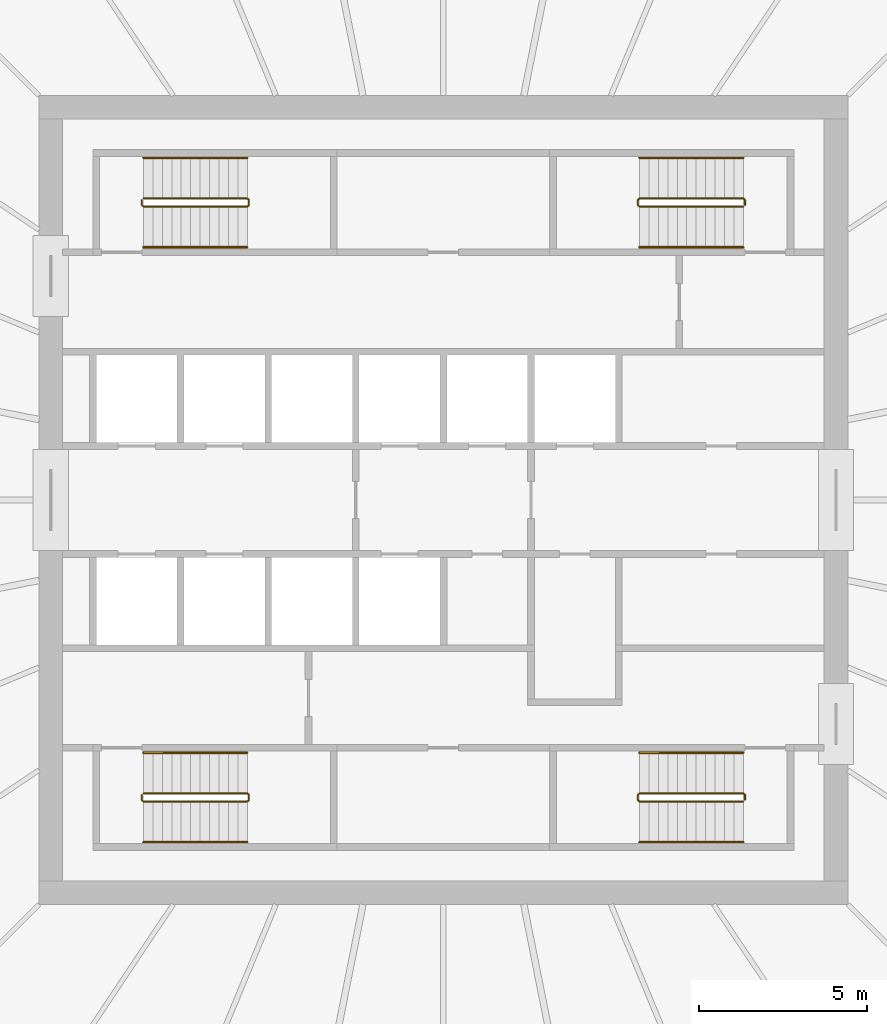
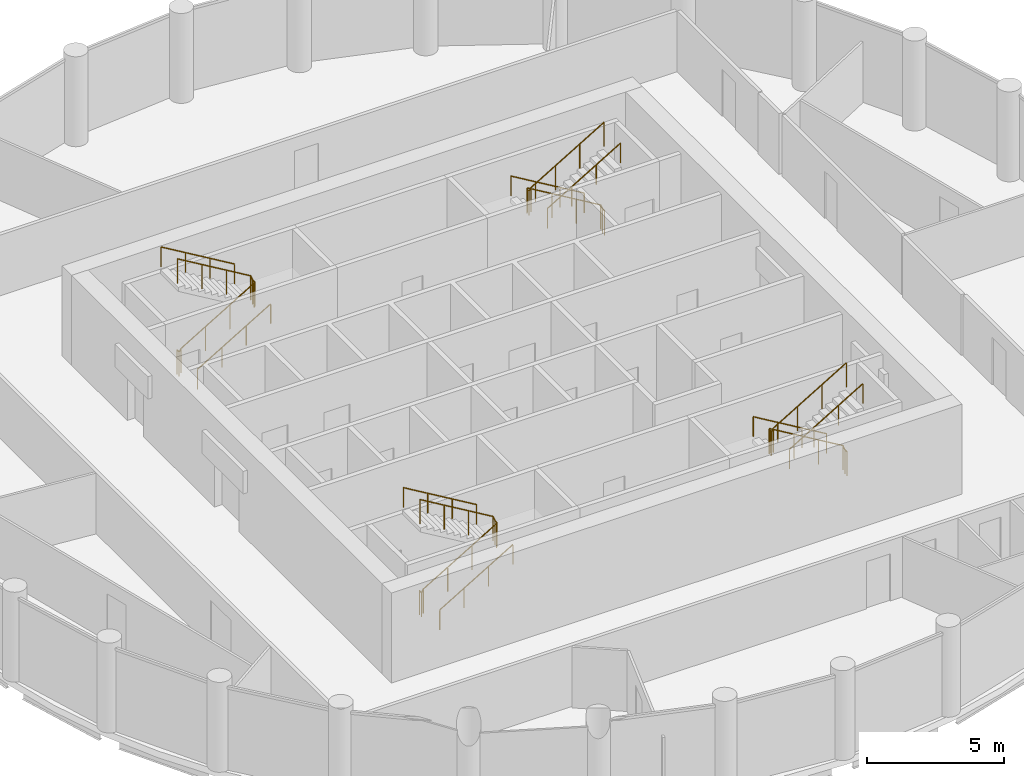
# One storey, part 7 of 7: 12 railings.
"""IFC4 building model written with IfcOpenShell, lengths in metres."""

from ifc_helpers import new_model, si_unit, direction, frame, origin, origin_2d, place, context, subcontext, project, spatial, circle, extrude, material, type_object, element, save


model = new_model("IFC4")

# Units and contexts
model_context = context("Model", 3, precision=1e-05, world=origin(), true_north=direction((0.0, 1.0)))
body_context = subcontext(model_context, "Body", "Model", "MODEL_VIEW")
ifc_project = project(units=[si_unit("LENGTHUNIT", "METRE"), si_unit("AREAUNIT", "SQUARE_METRE"), si_unit("VOLUMEUNIT", "CUBIC_METRE"), si_unit("PLANEANGLEUNIT", "RADIAN"), si_unit("MASSUNIT", "GRAM", prefix="KILO")], contexts=[model_context])

# Site, building, storey
site_placement = place(None, origin())
site = spatial("IfcSite", under=ifc_project, at=site_placement, CompositionType="ELEMENT")
building_placement = place(site_placement, origin())
building = spatial("IfcBuilding", under=site, at=building_placement, Name="Corvane Civic Tower", CompositionType="ELEMENT")
storey_placement = place(building_placement, frame((0.0, 0.0, 267.0)))
storey = spatial("IfcBuildingStorey", under=building, at=storey_placement, Name="L63", CompositionType="ELEMENT", Elevation=267.0)

# Railings
ifc_material_1 = material(Name="Steel ASTM A572 Gr 50", Category="steel")
railing_type_1 = type_object("IfcRailingType", Name="ST-GUARD-1100", PredefinedType="GUARDRAIL", material=ifc_material_1)
railing_1_placement = place(storey_placement, frame((8.949951171875, 8.75, 0.0)))
element("IfcRailing", 1, at=railing_1_placement, inside=storey, type_object=railing_type_1, Name="L63 ST1 stair guard 1", PredefinedType="GUARDRAIL", context=body_context, shape_type="SweptSolid", body=[
    extrude(circle(Radius=0.02392578125, at=origin_2d()), frame((0.0, 0.0, 1.076171875), z_axis=(0.0, 1.0, 0.0), x_axis=(-1.0, 0.0, 0.0)), (0.0, 0.0, 1.0), 0.14990234375),
    extrude(circle(Radius=0.02392578125, at=origin_2d()), frame((0.0, 0.14990234375, 1.076171875), z_axis=(-0.27628659633, 0.27628659633, 0.920506074601), x_axis=(-0.707106781187, -0.707106781187, 0.0)), (0.0, 0.0, 1.0), 0.18115234375),
    extrude(circle(Radius=0.02392578125, at=origin_2d()), frame((-0.050048828125, 0.199951171875, 1.24267578125), z_axis=(-0.859290745958, 0.0, 0.51148745235), x_axis=(0.0, -1.0, 0.0)), (0.0, 0.0, 1.0), 3.584228515625),
    extrude(circle(Radius=0.02392578125, at=origin_2d()), frame((-3.1298828125, 0.199951171875, 3.076171875), z_axis=(-0.707106781187, -0.707106781187, 0.0), x_axis=(0.707106781187, -0.707106781187, 0.0)), (0.0, 0.0, 1.0), 0.07080078125),
    extrude(circle(Radius=0.02392578125, at=origin_2d()), frame((-3.179931640625, 0.14990234375, 3.076171875), z_axis=(0.0, -1.0, 0.0), x_axis=(1.0, 0.0, 0.0)), (0.0, 0.0, 1.0), 0.14990234375),
    extrude(circle(Radius=0.02392578125, at=origin_2d()), frame((-3.179931640625, 0.0, 3.076171875), z_axis=(0.27628659633, -0.27628659633, 0.920506074601), x_axis=(0.707106781187, 0.707106781187, 0.0)), (0.0, 0.0, 1.0), 0.18115234375),
    extrude(circle(Radius=0.02392578125, at=origin_2d()), frame((-3.1298828125, -0.050048828125, 3.24267578125), z_axis=(0.859290745958, 0.0, 0.51148745235), x_axis=(0.0, 1.0, 0.0)), (0.0, 0.0, 1.0), 3.584228515625),
    extrude(circle(Radius=0.02099609375, at=origin_2d()), origin(), (0.0, 0.0, 1.0), 1.052001953125),
    extrude(circle(Radius=0.02099609375, at=origin_2d()), frame((0.0, 0.14990234375, 0.0)), (0.0, 0.0, 1.0), 1.052001953125),
    extrude(circle(Radius=0.02099609375, at=origin_2d()), frame((-0.050048828125, 0.199951171875, 0.166748046875)), (0.0, 0.0, 1.0), 1.052001953125),
    extrude(circle(Radius=0.02099609375, at=origin_2d()), frame((-1.07666015625, 0.199951171875, 0.77783203125)), (0.0, 0.0, 1.0), 1.052001953125),
    extrude(circle(Radius=0.02099609375, at=origin_2d()), frame((-2.103271484375, 0.199951171875, 1.388916015625)), (0.0, 0.0, 1.0), 1.052001953125),
    extrude(circle(Radius=0.02099609375, at=origin_2d()), frame((-3.1298828125, 0.199951171875, 2.0)), (0.0, 0.0, 1.0), 1.052001953125),
    extrude(circle(Radius=0.02099609375, at=origin_2d()), frame((-3.179931640625, 0.14990234375, 2.0)), (0.0, 0.0, 1.0), 1.052001953125),
    extrude(circle(Radius=0.02099609375, at=origin_2d()), frame((-3.179931640625, 0.0, 2.0)), (0.0, 0.0, 1.0), 1.052001953125),
    extrude(circle(Radius=0.02099609375, at=origin_2d()), frame((-3.1298828125, -0.050048828125, 2.166748046875)), (0.0, 0.0, 1.0), 1.052001953125),
    extrude(circle(Radius=0.02099609375, at=origin_2d()), frame((-2.103271484375, -0.050048828125, 2.77783203125)), (0.0, 0.0, 1.0), 1.052001953125),
    extrude(circle(Radius=0.02099609375, at=origin_2d()), frame((-1.07666015625, -0.050048828125, 3.388916015625)), (0.0, 0.0, 1.0), 1.052001953125),
    extrude(circle(Radius=0.02099609375, at=origin_2d()), frame((-0.050048828125, -0.050048828125, 4.0)), (0.0, 0.0, 1.0), 1.052001953125),
])
railing_2_placement = place(storey_placement, frame((8.949951171875, -8.89990234375, 0.0)))
element("IfcRailing", 2, at=railing_2_placement, inside=storey, type_object=railing_type_1, Name="L63 ST2 stair guard 1", PredefinedType="GUARDRAIL", context=body_context, shape_type="SweptSolid", body=[
    extrude(circle(Radius=0.02392578125, at=origin_2d()), frame((0.0, 0.0, 1.076171875), z_axis=(0.0, 1.0, 0.0), x_axis=(-1.0, 0.0, 0.0)), (0.0, 0.0, 1.0), 0.14990234375),
    extrude(circle(Radius=0.02392578125, at=origin_2d()), frame((0.0, 0.14990234375, 1.076171875), z_axis=(-0.27628659633, 0.27628659633, 0.920506074601), x_axis=(-0.707106781187, -0.707106781187, 0.0)), (0.0, 0.0, 1.0), 0.18115234375),
    extrude(circle(Radius=0.02392578125, at=origin_2d()), frame((-0.050048828125, 0.199951171875, 1.24267578125), z_axis=(-0.859290745958, 0.0, 0.51148745235), x_axis=(0.0, -1.0, 0.0)), (0.0, 0.0, 1.0), 3.584228515625),
    extrude(circle(Radius=0.02392578125, at=origin_2d()), frame((-3.1298828125, 0.199951171875, 3.076171875), z_axis=(-0.707106781187, -0.707106781187, 0.0), x_axis=(0.707106781187, -0.707106781187, 0.0)), (0.0, 0.0, 1.0), 0.07080078125),
    extrude(circle(Radius=0.02392578125, at=origin_2d()), frame((-3.179931640625, 0.14990234375, 3.076171875), z_axis=(0.0, -1.0, 0.0), x_axis=(1.0, 0.0, 0.0)), (0.0, 0.0, 1.0), 0.14990234375),
    extrude(circle(Radius=0.02392578125, at=origin_2d()), frame((-3.179931640625, 0.0, 3.076171875), z_axis=(0.27628659633, -0.27628659633, 0.920506074601), x_axis=(0.707106781187, 0.707106781187, 0.0)), (0.0, 0.0, 1.0), 0.18115234375),
    extrude(circle(Radius=0.02392578125, at=origin_2d()), frame((-3.1298828125, -0.050048828125, 3.24267578125), z_axis=(0.859290745958, 0.0, 0.51148745235), x_axis=(0.0, 1.0, 0.0)), (0.0, 0.0, 1.0), 3.584228515625),
    extrude(circle(Radius=0.02099609375, at=origin_2d()), origin(), (0.0, 0.0, 1.0), 1.052001953125),
    extrude(circle(Radius=0.02099609375, at=origin_2d()), frame((0.0, 0.14990234375, 0.0)), (0.0, 0.0, 1.0), 1.052001953125),
    extrude(circle(Radius=0.02099609375, at=origin_2d()), frame((-0.050048828125, 0.199951171875, 0.166748046875)), (0.0, 0.0, 1.0), 1.052001953125),
    extrude(circle(Radius=0.02099609375, at=origin_2d()), frame((-1.07666015625, 0.199951171875, 0.77783203125)), (0.0, 0.0, 1.0), 1.052001953125),
    extrude(circle(Radius=0.02099609375, at=origin_2d()), frame((-2.103271484375, 0.199951171875, 1.388916015625)), (0.0, 0.0, 1.0), 1.052001953125),
    extrude(circle(Radius=0.02099609375, at=origin_2d()), frame((-3.1298828125, 0.199951171875, 2.0)), (0.0, 0.0, 1.0), 1.052001953125),
    extrude(circle(Radius=0.02099609375, at=origin_2d()), frame((-3.179931640625, 0.14990234375, 2.0)), (0.0, 0.0, 1.0), 1.052001953125),
    extrude(circle(Radius=0.02099609375, at=origin_2d()), frame((-3.179931640625, 0.0, 2.0)), (0.0, 0.0, 1.0), 1.052001953125),
    extrude(circle(Radius=0.02099609375, at=origin_2d()), frame((-3.1298828125, -0.050048828125, 2.166748046875)), (0.0, 0.0, 1.0), 1.052001953125),
    extrude(circle(Radius=0.02099609375, at=origin_2d()), frame((-2.103271484375, -0.050048828125, 2.77783203125)), (0.0, 0.0, 1.0), 1.052001953125),
    extrude(circle(Radius=0.02099609375, at=origin_2d()), frame((-1.07666015625, -0.050048828125, 3.388916015625)), (0.0, 0.0, 1.0), 1.052001953125),
    extrude(circle(Radius=0.02099609375, at=origin_2d()), frame((-0.050048828125, -0.050048828125, 4.0)), (0.0, 0.0, 1.0), 1.052001953125),
])
railing_3_placement = place(storey_placement, frame((-8.949951171875, -8.75, 0.0)))
element("IfcRailing", 3, at=railing_3_placement, inside=storey, type_object=railing_type_1, Name="L63 ST3 stair guard 1", PredefinedType="GUARDRAIL", context=body_context, shape_type="SweptSolid", body=[
    extrude(circle(Radius=0.02392578125, at=origin_2d()), frame((0.0, 0.0, 1.076171875), z_axis=(0.0, -1.0, 0.0), x_axis=(1.0, 0.0, 0.0)), (0.0, 0.0, 1.0), 0.14990234375),
    extrude(circle(Radius=0.02392578125, at=origin_2d()), frame((0.0, -0.14990234375, 1.076171875), z_axis=(0.27628659633, -0.27628659633, 0.920506074601), x_axis=(0.707106781187, 0.707106781187, 0.0)), (0.0, 0.0, 1.0), 0.18115234375),
    extrude(circle(Radius=0.02392578125, at=origin_2d()), frame((0.050048828125, -0.199951171875, 1.24267578125), z_axis=(0.859290745958, 0.0, 0.51148745235), x_axis=(0.0, 1.0, 0.0)), (0.0, 0.0, 1.0), 3.584228515625),
    extrude(circle(Radius=0.02392578125, at=origin_2d()), frame((3.1298828125, -0.199951171875, 3.076171875), z_axis=(0.707106781187, 0.707106781187, 0.0), x_axis=(-0.707106781187, 0.707106781187, 0.0)), (0.0, 0.0, 1.0), 0.07080078125),
    extrude(circle(Radius=0.02392578125, at=origin_2d()), frame((3.179931640625, -0.14990234375, 3.076171875), z_axis=(0.0, 1.0, 0.0), x_axis=(-1.0, 0.0, 0.0)), (0.0, 0.0, 1.0), 0.14990234375),
    extrude(circle(Radius=0.02392578125, at=origin_2d()), frame((3.179931640625, 0.0, 3.076171875), z_axis=(-0.27628659633, 0.27628659633, 0.920506074601), x_axis=(-0.707106781187, -0.707106781187, 0.0)), (0.0, 0.0, 1.0), 0.18115234375),
    extrude(circle(Radius=0.02392578125, at=origin_2d()), frame((3.1298828125, 0.050048828125, 3.24267578125), z_axis=(-0.859290745958, 0.0, 0.51148745235), x_axis=(0.0, -1.0, 0.0)), (0.0, 0.0, 1.0), 3.584228515625),
    extrude(circle(Radius=0.02099609375, at=origin_2d()), origin(), (0.0, 0.0, 1.0), 1.052001953125),
    extrude(circle(Radius=0.02099609375, at=origin_2d()), frame((0.0, -0.14990234375, 0.0)), (0.0, 0.0, 1.0), 1.052001953125),
    extrude(circle(Radius=0.02099609375, at=origin_2d()), frame((0.050048828125, -0.199951171875, 0.166748046875)), (0.0, 0.0, 1.0), 1.052001953125),
    extrude(circle(Radius=0.02099609375, at=origin_2d()), frame((1.07666015625, -0.199951171875, 0.77783203125)), (0.0, 0.0, 1.0), 1.052001953125),
    extrude(circle(Radius=0.02099609375, at=origin_2d()), frame((2.103271484375, -0.199951171875, 1.388916015625)), (0.0, 0.0, 1.0), 1.052001953125),
    extrude(circle(Radius=0.02099609375, at=origin_2d()), frame((3.1298828125, -0.199951171875, 2.0)), (0.0, 0.0, 1.0), 1.052001953125),
    extrude(circle(Radius=0.02099609375, at=origin_2d()), frame((3.179931640625, -0.14990234375, 2.0)), (0.0, 0.0, 1.0), 1.052001953125),
    extrude(circle(Radius=0.02099609375, at=origin_2d()), frame((3.179931640625, 0.0, 2.0)), (0.0, 0.0, 1.0), 1.052001953125),
    extrude(circle(Radius=0.02099609375, at=origin_2d()), frame((3.1298828125, 0.050048828125, 2.166748046875)), (0.0, 0.0, 1.0), 1.052001953125),
    extrude(circle(Radius=0.02099609375, at=origin_2d()), frame((2.103271484375, 0.050048828125, 2.77783203125)), (0.0, 0.0, 1.0), 1.052001953125),
    extrude(circle(Radius=0.02099609375, at=origin_2d()), frame((1.07666015625, 0.050048828125, 3.388916015625)), (0.0, 0.0, 1.0), 1.052001953125),
    extrude(circle(Radius=0.02099609375, at=origin_2d()), frame((0.050048828125, 0.050048828125, 4.0)), (0.0, 0.0, 1.0), 1.052001953125),
])
railing_4_placement = place(storey_placement, frame((-8.949951171875, 8.89990234375, 0.0)))
element("IfcRailing", 4, at=railing_4_placement, inside=storey, type_object=railing_type_1, Name="L63 ST4 stair guard 1", PredefinedType="GUARDRAIL", context=body_context, shape_type="SweptSolid", body=[
    extrude(circle(Radius=0.02392578125, at=origin_2d()), frame((0.0, 0.0, 1.076171875), z_axis=(0.0, -1.0, 0.0), x_axis=(1.0, 0.0, 0.0)), (0.0, 0.0, 1.0), 0.14990234375),
    extrude(circle(Radius=0.02392578125, at=origin_2d()), frame((0.0, -0.14990234375, 1.076171875), z_axis=(0.27628659633, -0.27628659633, 0.920506074601), x_axis=(0.707106781187, 0.707106781187, 0.0)), (0.0, 0.0, 1.0), 0.18115234375),
    extrude(circle(Radius=0.02392578125, at=origin_2d()), frame((0.050048828125, -0.199951171875, 1.24267578125), z_axis=(0.859290745958, 0.0, 0.51148745235), x_axis=(0.0, 1.0, 0.0)), (0.0, 0.0, 1.0), 3.584228515625),
    extrude(circle(Radius=0.02392578125, at=origin_2d()), frame((3.1298828125, -0.199951171875, 3.076171875), z_axis=(0.707106781187, 0.707106781187, 0.0), x_axis=(-0.707106781187, 0.707106781187, 0.0)), (0.0, 0.0, 1.0), 0.07080078125),
    extrude(circle(Radius=0.02392578125, at=origin_2d()), frame((3.179931640625, -0.14990234375, 3.076171875), z_axis=(0.0, 1.0, 0.0), x_axis=(-1.0, 0.0, 0.0)), (0.0, 0.0, 1.0), 0.14990234375),
    extrude(circle(Radius=0.02392578125, at=origin_2d()), frame((3.179931640625, 0.0, 3.076171875), z_axis=(-0.27628659633, 0.27628659633, 0.920506074601), x_axis=(-0.707106781187, -0.707106781187, 0.0)), (0.0, 0.0, 1.0), 0.18115234375),
    extrude(circle(Radius=0.02392578125, at=origin_2d()), frame((3.1298828125, 0.050048828125, 3.24267578125), z_axis=(-0.859290745958, 0.0, 0.51148745235), x_axis=(0.0, -1.0, 0.0)), (0.0, 0.0, 1.0), 3.584228515625),
    extrude(circle(Radius=0.02099609375, at=origin_2d()), origin(), (0.0, 0.0, 1.0), 1.052001953125),
    extrude(circle(Radius=0.02099609375, at=origin_2d()), frame((0.0, -0.14990234375, 0.0)), (0.0, 0.0, 1.0), 1.052001953125),
    extrude(circle(Radius=0.02099609375, at=origin_2d()), frame((0.050048828125, -0.199951171875, 0.166748046875)), (0.0, 0.0, 1.0), 1.052001953125),
    extrude(circle(Radius=0.02099609375, at=origin_2d()), frame((1.07666015625, -0.199951171875, 0.77783203125)), (0.0, 0.0, 1.0), 1.052001953125),
    extrude(circle(Radius=0.02099609375, at=origin_2d()), frame((2.103271484375, -0.199951171875, 1.388916015625)), (0.0, 0.0, 1.0), 1.052001953125),
    extrude(circle(Radius=0.02099609375, at=origin_2d()), frame((3.1298828125, -0.199951171875, 2.0)), (0.0, 0.0, 1.0), 1.052001953125),
    extrude(circle(Radius=0.02099609375, at=origin_2d()), frame((3.179931640625, -0.14990234375, 2.0)), (0.0, 0.0, 1.0), 1.052001953125),
    extrude(circle(Radius=0.02099609375, at=origin_2d()), frame((3.179931640625, 0.0, 2.0)), (0.0, 0.0, 1.0), 1.052001953125),
    extrude(circle(Radius=0.02099609375, at=origin_2d()), frame((3.1298828125, 0.050048828125, 2.166748046875)), (0.0, 0.0, 1.0), 1.052001953125),
    extrude(circle(Radius=0.02099609375, at=origin_2d()), frame((2.103271484375, 0.050048828125, 2.77783203125)), (0.0, 0.0, 1.0), 1.052001953125),
    extrude(circle(Radius=0.02099609375, at=origin_2d()), frame((1.07666015625, 0.050048828125, 3.388916015625)), (0.0, 0.0, 1.0), 1.052001953125),
    extrude(circle(Radius=0.02099609375, at=origin_2d()), frame((0.050048828125, 0.050048828125, 4.0)), (0.0, 0.0, 1.0), 1.052001953125),
])
ifc_material_2 = material(Name="Steel ASTM A572 Gr 50", Category="steel")
railing_type_2 = type_object("IfcRailingType", Name="ST-HANDRAIL-900", PredefinedType="HANDRAIL", material=ifc_material_2)
railing_5_placement = place(storey_placement, frame((8.89990234375, 10.14990234375, 0.166748046875)))
element("IfcRailing", 5, at=railing_5_placement, inside=storey, type_object=railing_type_2, Name="L63 ST1 stair handrail 1", PredefinedType="HANDRAIL", context=body_context, shape_type="SweptSolid", body=[
    extrude(circle(Radius=0.02392578125, at=origin_2d()), frame((0.0, 0.0, 0.8759765625), z_axis=(-0.859290745958, 0.0, 0.51148745235), x_axis=(0.0, -1.0, 0.0)), (0.0, 0.0, 1.0), 3.584228515625),
    extrude(circle(Radius=0.02099609375, at=origin_2d()), origin(), (0.0, 0.0, 1.0), 0.851806640625),
    extrude(circle(Radius=0.02099609375, at=origin_2d()), frame((-1.026611328125, 0.0, 0.611083984375)), (0.0, 0.0, 1.0), 0.851806640625),
    extrude(circle(Radius=0.02099609375, at=origin_2d()), frame((-2.05322265625, 0.0, 1.22216796875)), (0.0, 0.0, 1.0), 0.851806640625),
    extrude(circle(Radius=0.02099609375, at=origin_2d()), frame((-3.079833984375, 0.0, 1.833251953125)), (0.0, 0.0, 1.0), 0.851806640625),
])
railing_6_placement = place(storey_placement, frame((5.820068359375, 7.5, 2.166748046875)))
element("IfcRailing", 6, at=railing_6_placement, inside=storey, type_object=railing_type_2, Name="L63 ST1 stair handrail 2", PredefinedType="HANDRAIL", context=body_context, shape_type="SweptSolid", body=[
    extrude(circle(Radius=0.02392578125, at=origin_2d()), frame((0.0, 0.0, 0.8759765625), z_axis=(0.859290745958, 0.0, 0.51148745235), x_axis=(0.0, 1.0, 0.0)), (0.0, 0.0, 1.0), 3.584228515625),
    extrude(circle(Radius=0.02099609375, at=origin_2d()), origin(), (0.0, 0.0, 1.0), 0.851806640625),
    extrude(circle(Radius=0.02099609375, at=origin_2d()), frame((1.026611328125, 0.0, 0.611083984375)), (0.0, 0.0, 1.0), 0.851806640625),
    extrude(circle(Radius=0.02099609375, at=origin_2d()), frame((2.05322265625, 0.0, 1.22216796875)), (0.0, 0.0, 1.0), 0.851806640625),
    extrude(circle(Radius=0.02099609375, at=origin_2d()), frame((3.079833984375, 0.0, 1.833251953125)), (0.0, 0.0, 1.0), 0.851806640625),
])
railing_7_placement = place(storey_placement, frame((8.89990234375, -7.5, 0.166748046875)))
element("IfcRailing", 7, at=railing_7_placement, inside=storey, type_object=railing_type_2, Name="L63 ST2 stair handrail 1", PredefinedType="HANDRAIL", context=body_context, shape_type="SweptSolid", body=[
    extrude(circle(Radius=0.02392578125, at=origin_2d()), frame((0.0, 0.0, 0.8759765625), z_axis=(-0.859290745958, 0.0, 0.51148745235), x_axis=(0.0, -1.0, 0.0)), (0.0, 0.0, 1.0), 3.584228515625),
    extrude(circle(Radius=0.02099609375, at=origin_2d()), origin(), (0.0, 0.0, 1.0), 0.851806640625),
    extrude(circle(Radius=0.02099609375, at=origin_2d()), frame((-1.026611328125, 0.0, 0.611083984375)), (0.0, 0.0, 1.0), 0.851806640625),
    extrude(circle(Radius=0.02099609375, at=origin_2d()), frame((-2.05322265625, 0.0, 1.22216796875)), (0.0, 0.0, 1.0), 0.851806640625),
    extrude(circle(Radius=0.02099609375, at=origin_2d()), frame((-3.079833984375, 0.0, 1.833251953125)), (0.0, 0.0, 1.0), 0.851806640625),
])
for number, where, name in (
    (8, (5.820068359375, -10.14990234375, 2.166748046875), "L63 ST2 stair handrail 2"),
    (9, (-8.89990234375, -10.14990234375, 0.166748046875), "L63 ST3 stair handrail 1"),
):
    element("IfcRailing", number, at=place(storey_placement, frame(where)), inside=storey, type_object=railing_type_2, Name=name, PredefinedType="HANDRAIL", context=body_context, shape_type="SweptSolid", body=[
        extrude(circle(Radius=0.02392578125, at=origin_2d()), frame((0.0, 0.0, 0.8759765625), z_axis=(0.859290745958, 0.0, 0.51148745235), x_axis=(0.0, 1.0, 0.0)), (0.0, 0.0, 1.0), 3.584228515625),
        extrude(circle(Radius=0.02099609375, at=origin_2d()), origin(), (0.0, 0.0, 1.0), 0.851806640625),
        extrude(circle(Radius=0.02099609375, at=origin_2d()), frame((1.026611328125, 0.0, 0.611083984375)), (0.0, 0.0, 1.0), 0.851806640625),
        extrude(circle(Radius=0.02099609375, at=origin_2d()), frame((2.05322265625, 0.0, 1.22216796875)), (0.0, 0.0, 1.0), 0.851806640625),
        extrude(circle(Radius=0.02099609375, at=origin_2d()), frame((3.079833984375, 0.0, 1.833251953125)), (0.0, 0.0, 1.0), 0.851806640625),
    ])
railing_8_placement = place(storey_placement, frame((-5.820068359375, -7.5, 2.166748046875)))
element("IfcRailing", 10, at=railing_8_placement, inside=storey, type_object=railing_type_2, Name="L63 ST3 stair handrail 2", PredefinedType="HANDRAIL", context=body_context, shape_type="SweptSolid", body=[
    extrude(circle(Radius=0.02392578125, at=origin_2d()), frame((0.0, 0.0, 0.8759765625), z_axis=(-0.859290745958, 0.0, 0.51148745235), x_axis=(0.0, -1.0, 0.0)), (0.0, 0.0, 1.0), 3.584228515625),
    extrude(circle(Radius=0.02099609375, at=origin_2d()), origin(), (0.0, 0.0, 1.0), 0.851806640625),
    extrude(circle(Radius=0.02099609375, at=origin_2d()), frame((-1.026611328125, 0.0, 0.611083984375)), (0.0, 0.0, 1.0), 0.851806640625),
    extrude(circle(Radius=0.02099609375, at=origin_2d()), frame((-2.05322265625, 0.0, 1.22216796875)), (0.0, 0.0, 1.0), 0.851806640625),
    extrude(circle(Radius=0.02099609375, at=origin_2d()), frame((-3.079833984375, 0.0, 1.833251953125)), (0.0, 0.0, 1.0), 0.851806640625),
])
railing_9_placement = place(storey_placement, frame((-8.89990234375, 7.5, 0.166748046875)))
element("IfcRailing", 11, at=railing_9_placement, inside=storey, type_object=railing_type_2, Name="L63 ST4 stair handrail 1", PredefinedType="HANDRAIL", context=body_context, shape_type="SweptSolid", body=[
    extrude(circle(Radius=0.02392578125, at=origin_2d()), frame((0.0, 0.0, 0.8759765625), z_axis=(0.859290745958, 0.0, 0.51148745235), x_axis=(0.0, 1.0, 0.0)), (0.0, 0.0, 1.0), 3.584228515625),
    extrude(circle(Radius=0.02099609375, at=origin_2d()), origin(), (0.0, 0.0, 1.0), 0.851806640625),
    extrude(circle(Radius=0.02099609375, at=origin_2d()), frame((1.026611328125, 0.0, 0.611083984375)), (0.0, 0.0, 1.0), 0.851806640625),
    extrude(circle(Radius=0.02099609375, at=origin_2d()), frame((2.05322265625, 0.0, 1.22216796875)), (0.0, 0.0, 1.0), 0.851806640625),
    extrude(circle(Radius=0.02099609375, at=origin_2d()), frame((3.079833984375, 0.0, 1.833251953125)), (0.0, 0.0, 1.0), 0.851806640625),
])
railing_10_placement = place(storey_placement, frame((-5.820068359375, 10.14990234375, 2.166748046875)))
element("IfcRailing", 12, at=railing_10_placement, inside=storey, type_object=railing_type_2, Name="L63 ST4 stair handrail 2", PredefinedType="HANDRAIL", context=body_context, shape_type="SweptSolid", body=[
    extrude(circle(Radius=0.02392578125, at=origin_2d()), frame((0.0, 0.0, 0.8759765625), z_axis=(-0.859290745958, 0.0, 0.51148745235), x_axis=(0.0, -1.0, 0.0)), (0.0, 0.0, 1.0), 3.584228515625),
    extrude(circle(Radius=0.02099609375, at=origin_2d()), origin(), (0.0, 0.0, 1.0), 0.851806640625),
    extrude(circle(Radius=0.02099609375, at=origin_2d()), frame((-1.026611328125, 0.0, 0.611083984375)), (0.0, 0.0, 1.0), 0.851806640625),
    extrude(circle(Radius=0.02099609375, at=origin_2d()), frame((-2.05322265625, 0.0, 1.22216796875)), (0.0, 0.0, 1.0), 0.851806640625),
    extrude(circle(Radius=0.02099609375, at=origin_2d()), frame((-3.079833984375, 0.0, 1.833251953125)), (0.0, 0.0, 1.0), 0.851806640625),
])

save(model, "model.ifc")
